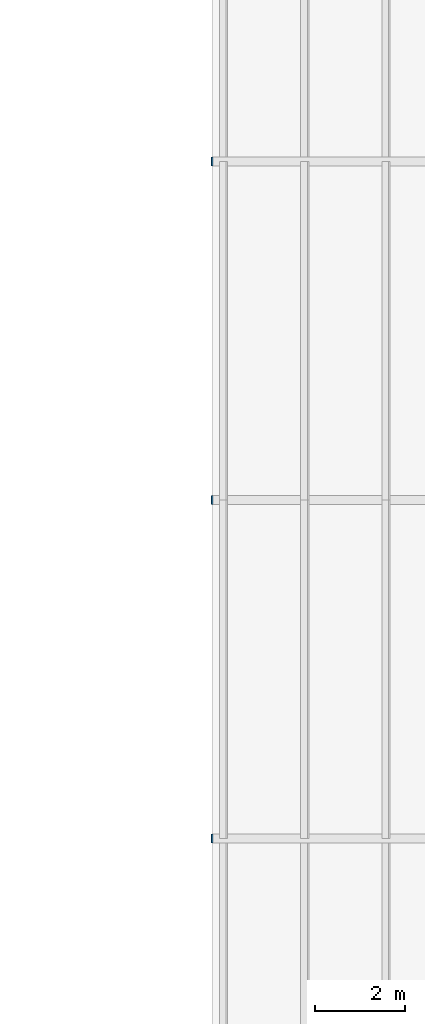
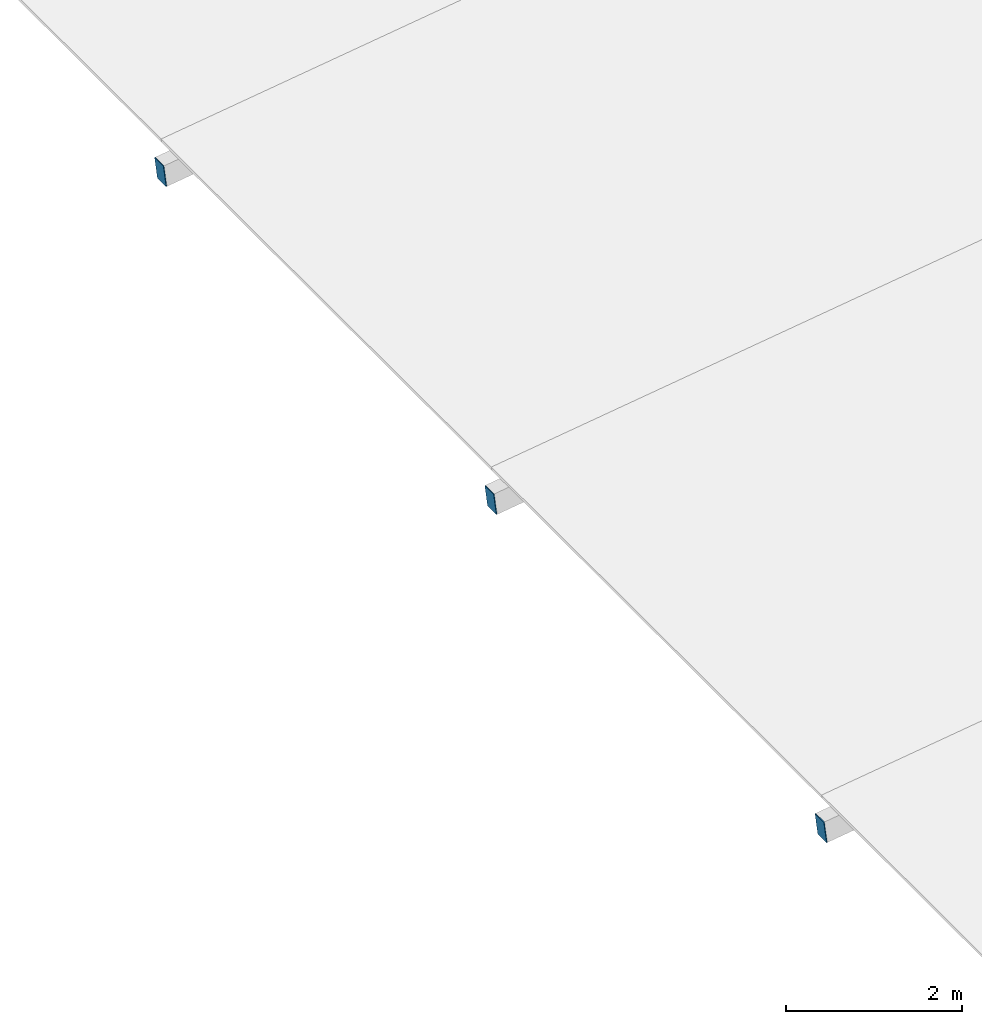
# One storey, part 36 of 52: 3 discrete accessories.
"""IFC4 building model written with IfcOpenShell, lengths in metres."""

from ifc_helpers import new_model, si_unit, direction, frame, origin, origin_2d, place, context, subcontext, project, spatial, rectangle, extrude, material, material_profile, profile_set, type_object, element, save


model = new_model("IFC4")

# Units and contexts
model_context = context("Model", 3, precision=1e-05, world=origin(), true_north=direction((0.0, 1.0)))
body_context = subcontext(model_context, "Body", "Model", "MODEL_VIEW")
ifc_project = project(units=[si_unit("LENGTHUNIT", "METRE"), si_unit("AREAUNIT", "SQUARE_METRE"), si_unit("VOLUMEUNIT", "CUBIC_METRE"), si_unit("PLANEANGLEUNIT", "RADIAN"), si_unit("MASSUNIT", "GRAM", prefix="KILO")], contexts=[model_context])

# Site, building, storey
site_placement = place(None, origin())
site = spatial("IfcSite", under=ifc_project, at=site_placement, CompositionType="ELEMENT")
building_placement = place(site_placement, origin())
building = spatial("IfcBuilding", under=site, at=building_placement, Name="Cour d'Honneur Mobility Palace", CompositionType="ELEMENT")
storey_placement = place(building_placement, frame((0.0, 0.0, 23.0)))
storey = spatial("IfcBuildingStorey", under=building, at=storey_placement, Name="L06", CompositionType="ELEMENT", Elevation=23.0)

# Discrete accessories
ifc_material = material(Name="Steel S355", Category="steel")
ifc_material_profile = material_profile(ifc_material, rectangle(XDim=0.199951171875, YDim=0.300048828125, at=origin_2d()), Name="PL 300x200x10")
ifc_profile_set = profile_set([ifc_material_profile], Name="Steel S355")
discrete_accessory_type = type_object("IfcDiscreteAccessoryType", Name="End cap plate RHS 300x200x12.5", PredefinedType="USERDEFINED", material=ifc_profile_set)
for number, where, z_axis, x_axis, name in (
    (1, (143.51513671875, 77.39990234375, 0.240234375), (0.992277876714, 0.0, 0.124034734589), (0.0, 1.0, 0.0), "End cap plate EC-TF-S2W-1"),
    (2, (143.51513671875, 84.89990234375, 0.240234375), (0.992277876714, 0.0, 0.124034734589), (0.0, 1.0, 0.0), "End cap plate EC-TF-S3W-1"),
    (3, (143.51513671875, 92.39990234375, 0.240234375), (0.992277876714, 0.0, 0.124034734589), (0.0, 1.0, 0.0), "End cap plate EC-TF-S4W-1"),
):
    element("IfcDiscreteAccessory", number, at=place(storey_placement, frame(where, z_axis=z_axis, x_axis=x_axis)), inside=storey, type_object=discrete_accessory_type, Name=name, ObjectType="END CAP PLATE", PredefinedType="USERDEFINED", context=body_context, shape_type="SweptSolid", body=[
        extrude(rectangle(XDim=0.199951171875, YDim=0.300048828125, at=origin_2d()), origin(), (0.0, 0.0, 1.0), 0.009765625),
    ])

save(model, "model.ifc")
